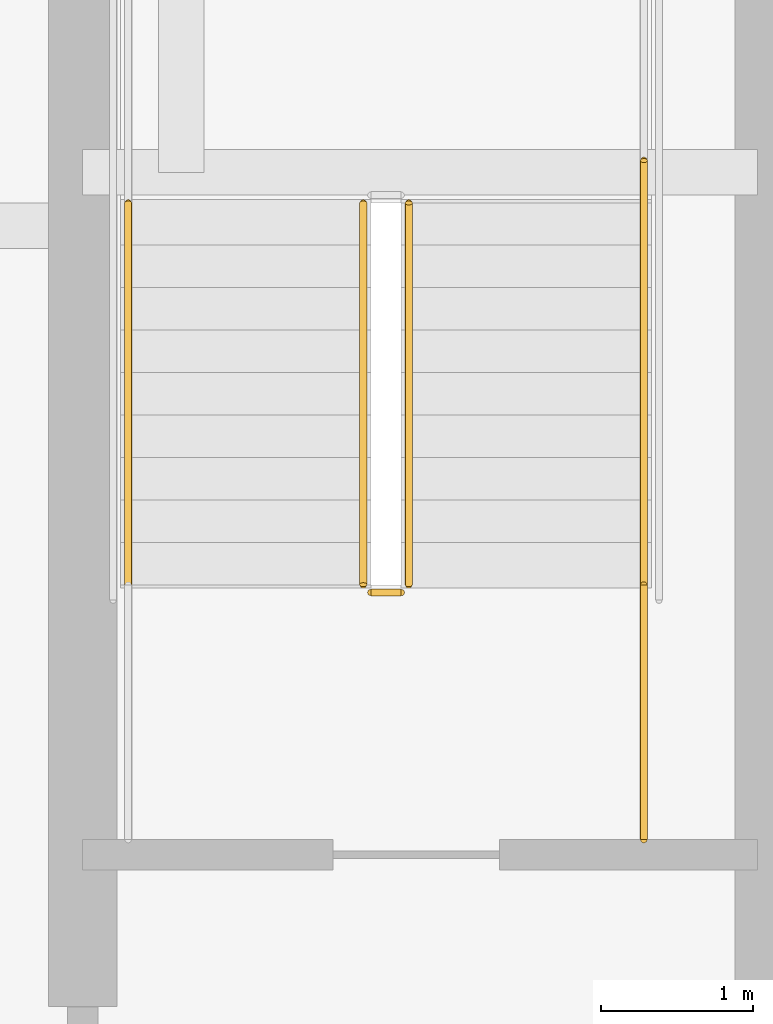
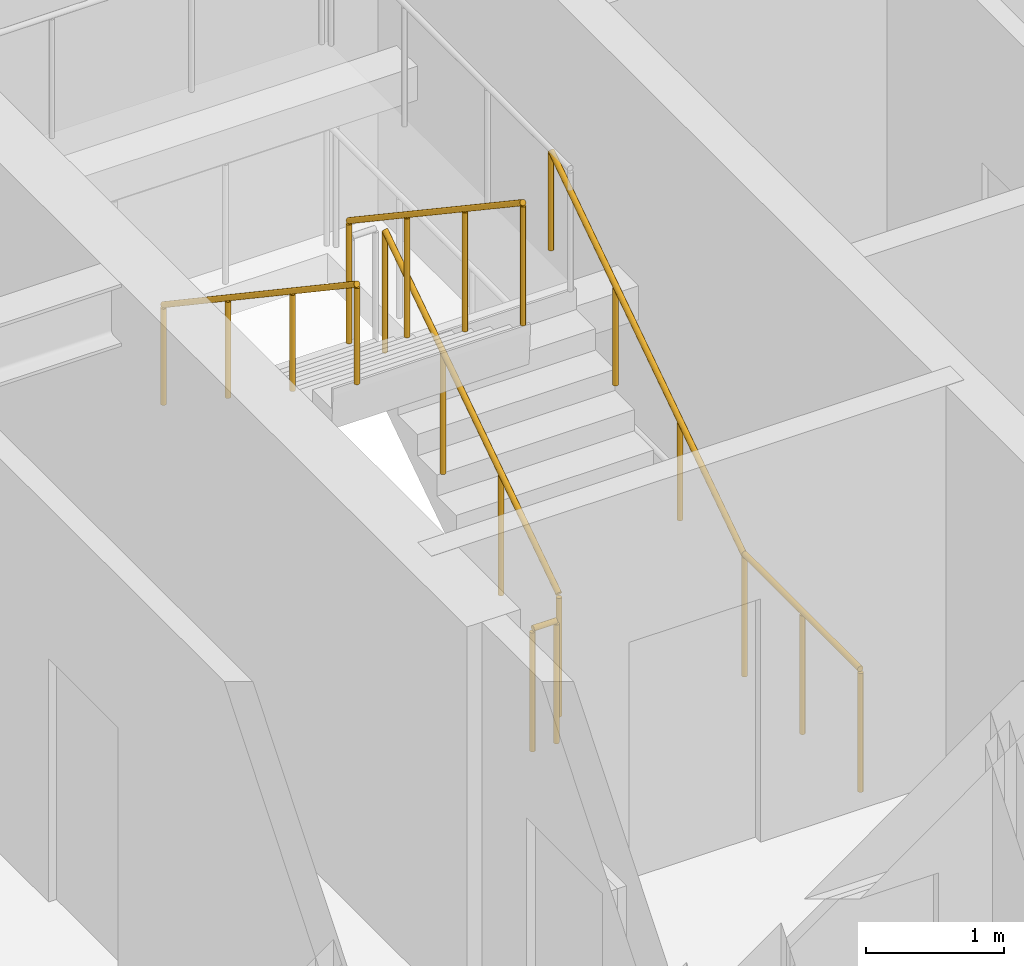
# One storey, part 35 of 39: 6 railings.
"""IFC4 building model written with IfcOpenShell, lengths in metres."""

from ifc_helpers import new_model, si_unit, direction, frame, origin, origin_2d, place, context, subcontext, project, spatial, circle, extrude, material, type_object, element, save


model = new_model("IFC4")

# Units and contexts
model_context = context("Model", 3, precision=1e-05, world=origin(), true_north=direction((0.0, 1.0)))
body_context = subcontext(model_context, "Body", "Model", "MODEL_VIEW")
ifc_project = project(units=[si_unit("LENGTHUNIT", "METRE"), si_unit("AREAUNIT", "SQUARE_METRE"), si_unit("VOLUMEUNIT", "CUBIC_METRE"), si_unit("PLANEANGLEUNIT", "RADIAN"), si_unit("MASSUNIT", "GRAM", prefix="KILO")], contexts=[model_context])

# Site, building, storey
site_placement = place(None, origin())
site = spatial("IfcSite", under=ifc_project, at=site_placement, CompositionType="ELEMENT")
building_placement = place(site_placement, origin())
building = spatial("IfcBuilding", under=site, at=building_placement, Name="Serunith Strait Residences", CompositionType="ELEMENT")
storey_placement = place(building_placement, frame((0.0, 0.0, 79.199951171875)))
storey = spatial("IfcBuildingStorey", under=building, at=storey_placement, Name="L19", CompositionType="ELEMENT", Elevation=79.199951171875)

# Railings
ifc_material = material(Name="Brushed stainless steel 316L", Category="steel")
railing_type_1 = type_object("IfcRailingType", Name="RLG-STAIR-GUARD", PredefinedType="BALUSTRADE", material=ifc_material)
railing_1_placement = place(storey_placement, frame((25.550048828125, 27.030029296875, 0.1875)))
element("IfcRailing", 1, at=railing_1_placement, inside=storey, type_object=railing_type_1, Name="L19 ST-1 stair guard 1", PredefinedType="BALUSTRADE", context=body_context, shape_type="SweptSolid", body=[
    extrude(circle(Radius=0.02392578125, at=origin_2d()), frame((0.0, 0.001708984375, 1.0771484375), z_axis=(0.0, 0.830909170722, 0.55640807867), x_axis=(-1.0, 0.0, 0.0)), (0.0, 0.0, 1.0), 3.02880859375),
    extrude(circle(Radius=0.02099609375, at=origin_2d()), origin(), (0.0, 0.0, 1.0), 1.050048828125),
    extrude(circle(Radius=0.02099609375, at=origin_2d()), frame((0.0, 0.840087890625, 0.5625)), (0.0, 0.0, 1.0), 1.050048828125),
    extrude(circle(Radius=0.02099609375, at=origin_2d()), frame((0.0, 1.679931640625, 1.125)), (0.0, 0.0, 1.0), 1.050048828125),
    extrude(circle(Radius=0.02099609375, at=origin_2d()), frame((0.0, 2.52001953125, 1.6875)), (0.0, 0.0, 1.0), 1.050048828125),
])
railing_2_placement = place(storey_placement, frame((25.25, 29.550048828125, 2.0625)))
element("IfcRailing", 2, at=railing_2_placement, inside=storey, type_object=railing_type_1, Name="L19 ST-1 stair guard 6", PredefinedType="BALUSTRADE", context=body_context, shape_type="SweptSolid", body=[
    extrude(circle(Radius=0.02392578125, at=origin_2d()), frame((0.0, -0.001708984375, 1.0771484375), z_axis=(0.0, -0.830909170722, 0.55640807867), x_axis=(1.0, 0.0, 0.0)), (0.0, 0.0, 1.0), 3.02880859375),
    extrude(circle(Radius=0.02099609375, at=origin_2d()), origin(), (0.0, 0.0, 1.0), 1.050048828125),
    extrude(circle(Radius=0.02099609375, at=origin_2d()), frame((0.0, -0.840087890625, 0.5625)), (0.0, 0.0, 1.0), 1.050048828125),
    extrude(circle(Radius=0.02099609375, at=origin_2d()), frame((0.0, -1.679931640625, 1.125)), (0.0, 0.0, 1.0), 1.050048828125),
    extrude(circle(Radius=0.02099609375, at=origin_2d()), frame((0.0, -2.52001953125, 1.6875)), (0.0, 0.0, 1.0), 1.050048828125),
])
railing_3_placement = place(storey_placement, frame((25.5, 26.97998046875, 0.0)))
element("IfcRailing", 3, at=railing_3_placement, inside=storey, type_object=railing_type_1, Name="L19 ST-1 stair guard 7", PredefinedType="BALUSTRADE", context=body_context, shape_type="SweptSolid", body=[
    extrude(circle(Radius=0.02392578125, at=origin_2d()), frame((-0.001953125, 0.0, 1.076171875), z_axis=(-1.0, 0.0, 0.0), x_axis=(0.0, -1.0, 0.0)), (0.0, 0.0, 1.0), 0.196044921875),
    extrude(circle(Radius=0.02099609375, at=origin_2d()), origin(), (0.0, 0.0, 1.0), 1.050048828125),
    extrude(circle(Radius=0.02099609375, at=origin_2d()), frame((-0.199951171875, 0.0, 0.0)), (0.0, 0.0, 1.0), 1.050048828125),
])
railing_4_placement = place(storey_placement, frame((27.10009765625, 25.35009765625, 0.0)))
element("IfcRailing", 4, at=railing_4_placement, inside=storey, type_object=railing_type_1, Name="L19 ST-1 stair guard 8", PredefinedType="BALUSTRADE", context=body_context, shape_type="SweptSolid", body=[
    extrude(circle(Radius=0.02392578125, at=origin_2d()), frame((0.0, 0.001953125, 1.076171875), z_axis=(0.0, 1.0, 0.0), x_axis=(-1.0, 0.0, 0.0)), (0.0, 0.0, 1.0), 1.676025390625),
    extrude(circle(Radius=0.02099609375, at=origin_2d()), origin(), (0.0, 0.0, 1.0), 1.050048828125),
    extrude(circle(Radius=0.02099609375, at=origin_2d()), frame((0.0, 0.83984375, 0.0)), (0.0, 0.0, 1.0), 1.050048828125),
    extrude(circle(Radius=0.02099609375, at=origin_2d()), frame((0.0, 1.679931640625, 0.0)), (0.0, 0.0, 1.0), 1.050048828125),
])
railing_type_2 = type_object("IfcRailingType", Name="RLG-STAIR-HR", PredefinedType="HANDRAIL", material=ifc_material)
railing_5_placement = place(storey_placement, frame((27.10009765625, 27.030029296875, 0.1875)))
element("IfcRailing", 5, at=railing_5_placement, inside=storey, type_object=railing_type_2, Name="L19 ST-1 stair handrail 1", PredefinedType="HANDRAIL", context=body_context, shape_type="SweptSolid", body=[
    extrude(circle(Radius=0.02392578125, at=origin_2d()), frame((0.0, 0.001708984375, 0.876953125), z_axis=(0.0, 0.830208209119, 0.557453432594), x_axis=(-1.0, 0.0, 0.0)), (0.0, 0.0, 1.0), 3.36865234375),
    extrude(circle(Radius=0.02099609375, at=origin_2d()), origin(), (0.0, 0.0, 1.0), 0.849853515625),
    extrude(circle(Radius=0.02099609375, at=origin_2d()), frame((0.0, 0.933349609375, 0.626708984375)), (0.0, 0.0, 1.0), 0.849853515625),
    extrude(circle(Radius=0.02099609375, at=origin_2d()), frame((0.0, 1.86669921875, 1.25341796875)), (0.0, 0.0, 1.0), 0.849853515625),
    extrude(circle(Radius=0.02099609375, at=origin_2d()), frame((0.0, 2.800048828125, 1.880126953125)), (0.0, 0.0, 1.0), 0.849853515625),
])
railing_6_placement = place(storey_placement, frame((23.699951171875, 29.550048828125, 2.0625)))
element("IfcRailing", 6, at=railing_6_placement, inside=storey, type_object=railing_type_2, Name="L19 ST-1 stair handrail 2", PredefinedType="HANDRAIL", context=body_context, shape_type="SweptSolid", body=[
    extrude(circle(Radius=0.02392578125, at=origin_2d()), frame((0.0, -0.001708984375, 0.876953125), z_axis=(0.0, -0.830208209119, 0.557453432594), x_axis=(1.0, 0.0, 0.0)), (0.0, 0.0, 1.0), 3.36865234375),
    extrude(circle(Radius=0.02099609375, at=origin_2d()), origin(), (0.0, 0.0, 1.0), 0.849853515625),
    extrude(circle(Radius=0.02099609375, at=origin_2d()), frame((0.0, -0.933349609375, 0.626708984375)), (0.0, 0.0, 1.0), 0.849853515625),
    extrude(circle(Radius=0.02099609375, at=origin_2d()), frame((0.0, -1.86669921875, 1.25341796875)), (0.0, 0.0, 1.0), 0.849853515625),
    extrude(circle(Radius=0.02099609375, at=origin_2d()), frame((0.0, -2.800048828125, 1.880126953125)), (0.0, 0.0, 1.0), 0.849853515625),
])

save(model, "model.ifc")
